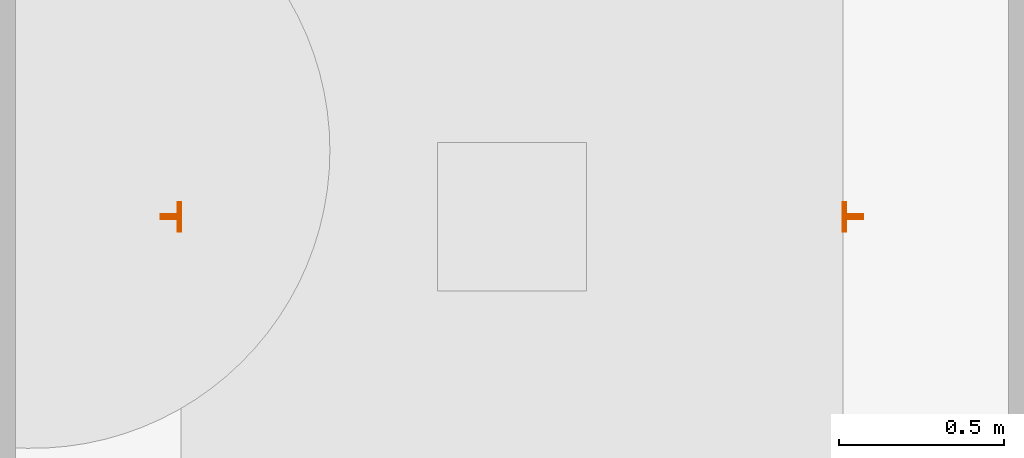
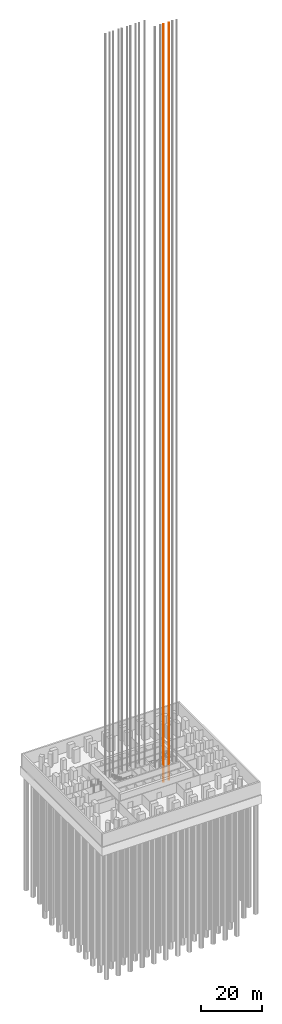
# One storey, part 15 of 17: 1 proxy.
"""IFC4 building model written with IfcOpenShell, lengths in metres."""

from ifc_helpers import new_model, si_unit, direction, frame, origin, origin_2d, place, context, subcontext, project, spatial, t_section, extrude, material, type_object, element, save


model = new_model("IFC4")

# Units and contexts
model_context = context("Model", 3, precision=1e-05, world=origin(), true_north=direction((0.0, 1.0)))
body_context = subcontext(model_context, "Body", "Model", "MODEL_VIEW")
ifc_project = project(units=[si_unit("LENGTHUNIT", "METRE"), si_unit("AREAUNIT", "SQUARE_METRE"), si_unit("VOLUMEUNIT", "CUBIC_METRE"), si_unit("PLANEANGLEUNIT", "RADIAN"), si_unit("MASSUNIT", "GRAM", prefix="KILO")], contexts=[model_context])

# Site, building, storey
site_placement = place(None, origin())
site = spatial("IfcSite", under=ifc_project, at=site_placement, CompositionType="ELEMENT")
building_placement = place(site_placement, origin())
building = spatial("IfcBuilding", under=site, at=building_placement, Name="Cobogo Forest Laboratory Tower", CompositionType="ELEMENT")
storey_placement = place(building_placement, frame((0.0, 0.0, -5.39990234375)))
storey = spatial("IfcBuildingStorey", under=building, at=storey_placement, Name="L-01", CompositionType="ELEMENT", Elevation=-5.39990234375)

# Proxy
ifc_material = material(Name="Steel guide rail", Category="steel")
building_element_proxy_type = type_object("IfcBuildingElementProxyType", Name="LR lift guide rails", PredefinedType="USERDEFINED", material=ifc_material)
proxy_placement = place(storey_placement, frame((34.60009765625, 20.64990234375, 0.0)))
element("IfcBuildingElementProxy", 1, at=proxy_placement, inside=storey, type_object=building_element_proxy_type, Name="LS2 guide rails", ObjectType="LIFT GUIDE RAILS", PredefinedType="USERDEFINED", context=body_context, shape_type="SweptSolid", body=[
    extrude(t_section(Depth=0.062, FlangeWidth=0.089, WebThickness=0.0159, FlangeThickness=0.01, at=origin_2d()), frame((-1.031005859375, 0.0, -1.60009765625), z_axis=(0.0, 0.0, 1.0), x_axis=(0.0, -1.0, 0.0)), (0.0, 0.0, 1.0), 303.800048828125),
    extrude(t_section(Depth=0.062, FlangeWidth=0.089, WebThickness=0.0159, FlangeThickness=0.01, at=origin_2d()), frame((1.031005859375, 0.0, -1.60009765625), z_axis=(0.0, 0.0, 1.0), x_axis=(0.0, 1.0, 0.0)), (0.0, 0.0, 1.0), 303.800048828125),
])

save(model, "model.ifc")
